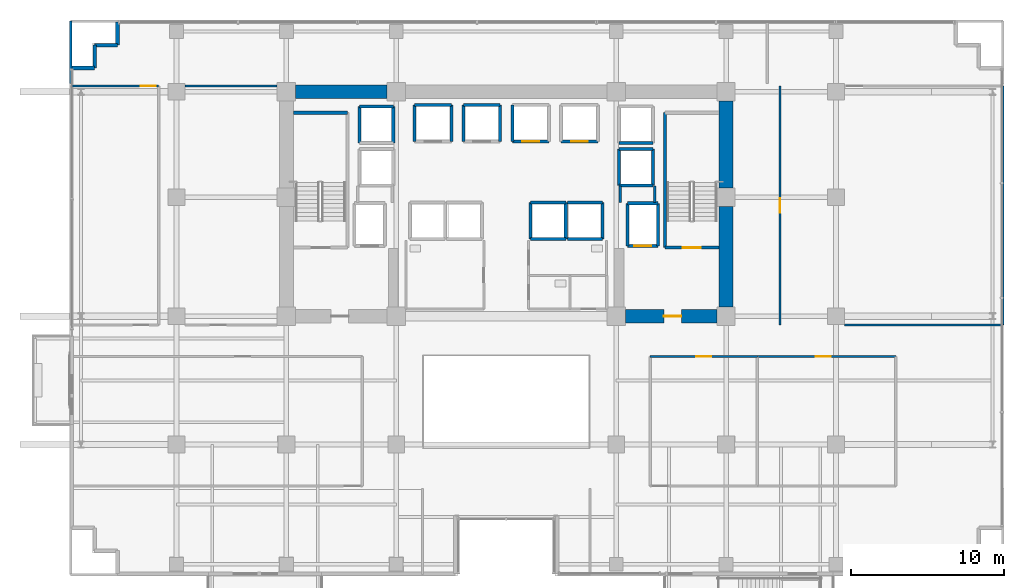
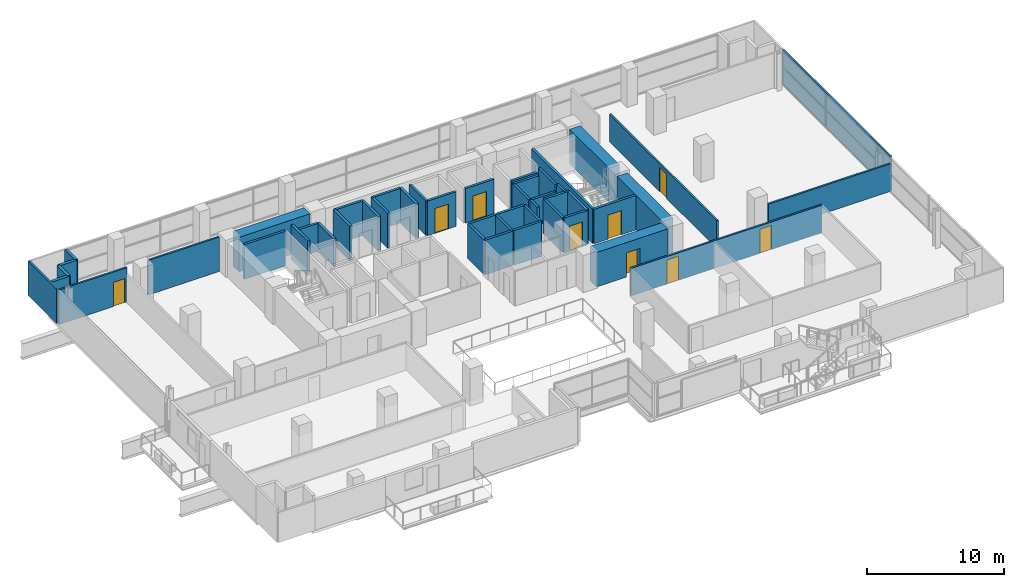
# One storey, part 26 of 31: 49 walls, 9 doors, 9 openings.
"""IFC4 building model written with IfcOpenShell, lengths in metres."""

from ifc_helpers import new_model, si_unit, direction, frame, frame_2d, origin, place, context, subcontext, project, spatial, rectangle, extrude, source, transform, mapped, material, layer, layer_set, type_object, element, fill, save


model = new_model("IFC4")

# Units and contexts
model_context = context("Model", 3, precision=1e-05, world=origin(), true_north=direction((0.0, 1.0)))
body_context = subcontext(model_context, "Body", "Model", "MODEL_VIEW")
ifc_project = project(units=[si_unit("LENGTHUNIT", "METRE"), si_unit("AREAUNIT", "SQUARE_METRE"), si_unit("VOLUMEUNIT", "CUBIC_METRE"), si_unit("PLANEANGLEUNIT", "RADIAN"), si_unit("MASSUNIT", "GRAM", prefix="KILO")], contexts=[model_context])

# Site, building, storey
site_placement = place(None, origin())
site = spatial("IfcSite", under=ifc_project, at=site_placement, CompositionType="ELEMENT")
building_placement = place(site_placement, origin())
building = spatial("IfcBuilding", under=site, at=building_placement, Name="Zarnakvel Exchange Tower", CompositionType="ELEMENT")
storey_placement = place(building_placement, frame((0.0, 0.0, 53.800048828125)))
storey = spatial("IfcBuildingStorey", under=building, at=storey_placement, Name="L14", CompositionType="ELEMENT", Elevation=53.800048828125)

# Walls
ifc_material_1 = material(Name="Concrete C80/95", Category="concrete")
ifc_layer_1 = layer(ifc_material_1, 0.89990234375)
ifc_layer_set_1 = layer_set([ifc_layer_1], Name="Concrete C80/95")
wall_type_1 = type_object("IfcWallType", Name="CW-C1", PredefinedType="SHEAR", material=ifc_layer_set_1)
wall_1_placement = place(storey_placement, frame((-13.800048828125, 13.5, 0.0), z_axis=(0.0, 0.0, 1.0), x_axis=(1.0, 0.0, 0.0)))
element("IfcWall", 1, at=wall_1_placement, inside=storey, type_object=wall_type_1, Name="L14 Rear Core Shear Wall N1 (CW-C1)", PredefinedType="SHEAR", context=body_context, shape_type="SweptSolid", body=[
    extrude(rectangle(XDim=6.0, YDim=0.89990234375, at=frame_2d((3.0, 0.0))), origin(), (0.0, 0.0, 1.0), 3.074951171875),
])
wall_2_placement = place(storey_placement, frame((14.39990234375, -0.60009765625, 0.0), z_axis=(0.0, 0.0, 1.0), x_axis=(0.0, 1.0, 0.0)))
element("IfcWall", 2, at=wall_2_placement, inside=storey, type_object=wall_type_1, Name="L14 Rear Core Shear Wall E1 (CW-C1)", PredefinedType="SHEAR", context=body_context, shape_type="SweptSolid", body=[
    extrude(rectangle(XDim=6.60009765625, YDim=0.89990234375, at=frame_2d((3.300048828125, 0.0))), origin(), (0.0, 0.0, 1.0), 3.074951171875),
])
wall_3_placement = place(storey_placement, frame((14.39990234375, 7.199951171875, 0.0), z_axis=(0.0, 0.0, 1.0), x_axis=(0.0, 1.0, 0.0)))
element("IfcWall", 3, at=wall_3_placement, inside=storey, type_object=wall_type_1, Name="L14 Rear Core Shear Wall E2 (CW-C1)", PredefinedType="SHEAR", context=body_context, shape_type="SweptSolid", body=[
    extrude(rectangle(XDim=5.699951171875, YDim=0.89990234375, at=frame_2d((2.85009765625, 0.0))), origin(), (0.0, 0.0, 1.0), 3.074951171875),
])

# Wall, opening, door
wall_4_placement = place(storey_placement, frame((13.800048828125, -1.199951171875, 0.0), z_axis=(0.0, 0.0, 1.0), x_axis=(-1.0, 0.0, 0.0)))
wall_4 = element("IfcWall", 4, at=wall_4_placement, inside=storey, type_object=wall_type_1, Name="L14 Rear Core Shear Wall SE (CW-C1)", PredefinedType="SHEAR", context=body_context, shape_type="SweptSolid", body=[
    extrude(rectangle(XDim=6.0, YDim=0.89990234375, at=frame_2d((3.0, 0.0))), origin(), (0.0, 0.0, 1.0), 3.074951171875),
])
opening_1_placement = place(wall_4_placement, frame((2.324951171875, 0.0, 0.0)))
opening_1 = element("IfcOpeningElement", 5, at=opening_1_placement, cuts=wall_4, Name="Opening D-L14-04", PredefinedType="OPENING", context=body_context, shape_type="SweptSolid", body=[
    extrude(rectangle(XDim=1.14990234375, YDim=2.14990234375, at=frame_2d((0.574951171875, 1.074951171875))), frame((0.0, 0.4599609375, 0.0), z_axis=(0.0, -1.0, 0.0), x_axis=(1.0, 0.0, 0.0)), (0.0, 0.0, 1.0), 0.919921875),
])
ifc_material_2 = material(Name="Painted Galvanised Steel S355", Category="steel")
door_type_1 = type_object("IfcDoorType", Name="DT-04", OperationType="NOTDEFINED", PredefinedType="DOOR", material=ifc_material_2)
shared_shape_1 = source(origin(), body_context, "Body", "SweptSolid", [
    extrude(rectangle(XDim=1.14990234375, YDim=2.14990234375, at=frame_2d((0.574951171875, 1.074951171875))), frame((0.0, 0.02490234375, 0.0), z_axis=(0.0, -1.0, 0.0), x_axis=(1.0, 0.0, 0.0)), (0.0, 0.0, 1.0), 0.050048828125),
])
door_1_placement = place(opening_1_placement, origin())
door_1 = element("IfcDoor", 6, at=door_1_placement, inside=storey, type_object=door_type_1, Name="L14 Firefighting Lobby East Door D-L14-04", OperationType="SINGLE_SWING_RIGHT", OverallHeight=2.14990234375, OverallWidth=1.14990234375, PredefinedType="DOOR", context=body_context, shape_type="MappedRepresentation", body=[
    mapped(shared_shape_1, transform((0.0, 0.0, 0.0), x_axis=(1.0, 0.0, 0.0), y_axis=(0.0, 1.0, 0.0), z_axis=(0.0, 0.0, 1.0), scale=1.0)),
])
fill(opening_1, door_1)

# Walls
ifc_material_3 = material(Name="Precast concrete C40/50", Category="concrete")
ifc_layer_2 = layer(ifc_material_3, 0.239990234375)
ifc_layer_set_2 = layer_set([ifc_layer_2], Name="Precast concrete C40/50")
wall_type_2 = type_object("IfcWallType", Name="EW-02", PredefinedType="SOLIDWALL", material=ifc_layer_set_2)
for number, where, z_axis, x_axis, name in (
    (7, (-26.9599609375, 15.06005859375, 0.0), (0.0, 0.0, 1.0), (-1.0, 0.0, 0.0), "L14 Exterior Precast Spandrel Wall EWC-L14-03 (EW-02)"),
    (8, (-26.9599609375, 16.56005859375, 0.0), (0.0, 0.0, 1.0), (0.0, -1.0, 0.0), "L14 Exterior Precast Spandrel Wall EWC-L14-04 (EW-02)"),
    (9, (-25.4599609375, 16.56005859375, 0.0), (0.0, 0.0, 1.0), (-1.0, 0.0, 0.0), "L14 Exterior Precast Spandrel Wall EWC-L14-05 (EW-02)"),
    (10, (-25.4599609375, 18.06005859375, 0.0), (0.0, 0.0, 1.0), (0.0, -1.0, 0.0), "L14 Exterior Precast Spandrel Wall EWC-L14-06 (EW-02)"),
):
    element("IfcWall", number, at=place(storey_placement, frame(where, z_axis=z_axis, x_axis=x_axis)), inside=storey, type_object=wall_type_2, Name=name, PredefinedType="SOLIDWALL", context=body_context, shape_type="SweptSolid", body=[
        extrude(rectangle(XDim=1.5, YDim=0.239990234375, at=frame_2d((0.75, 0.0))), origin(), (0.0, 0.0, 1.0), 3.074951171875),
    ])

# Wall, opening, door
ifc_material_4 = material(Name="Fire-Rated Gypsum Stud Partition", Category="gypsum")
ifc_layer_3 = layer(ifc_material_4, 0.14990234375)
ifc_layer_set_3 = layer_set([ifc_layer_3], Name="Fire-Rated Gypsum Stud Partition")
wall_type_3 = type_object("IfcWallType", Name="PT-01", PredefinedType="PARTITIONING", material=ifc_layer_set_3)
wall_5_placement = place(storey_placement, frame((9.429931640625, -3.830078125, 0.0), z_axis=(0.0, 0.0, 1.0), x_axis=(1.0, 0.0, 0.0)))
wall_5 = element("IfcWall", 11, at=wall_5_placement, inside=storey, type_object=wall_type_3, Name="L14 Partition Wall PWALL-L14-030 (PT-01)", PredefinedType="PARTITIONING", context=body_context, shape_type="SweptSolid", body=[
    extrude(rectangle(XDim=7.0146484375, YDim=0.14990234375, at=frame_2d((3.50732421875, 0.0))), origin(), (0.0, 0.0, 1.0), 2.46484375),
])
opening_2_placement = place(wall_5_placement, frame((3.01708984375, 0.0, 0.0)))
opening_2 = element("IfcOpeningElement", 12, at=opening_2_placement, cuts=wall_5, Name="Opening D-L14-11", PredefinedType="OPENING", context=body_context, shape_type="SweptSolid", body=[
    extrude(rectangle(XDim=0.97998046875, YDim=2.14990234375, at=frame_2d((0.489990234375, 1.074951171875))), frame((0.0, 0.0849609375, 0.0), z_axis=(0.0, -1.0, 0.0), x_axis=(1.0, 0.0, 0.0)), (0.0, 0.0, 1.0), 0.169921875),
])
ifc_material_5 = material(Name="Timber Acoustic Veneer", Category="wood")
door_type_2 = type_object("IfcDoorType", Name="DT-05", OperationType="NOTDEFINED", PredefinedType="DOOR", material=ifc_material_5)
shared_shape_2 = source(origin(), body_context, "Body", "SweptSolid", [
    extrude(rectangle(XDim=0.97998046875, YDim=2.14990234375, at=frame_2d((0.489990234375, 1.074951171875))), frame((0.0, 0.02490234375, 0.0), z_axis=(0.0, -1.0, 0.0), x_axis=(1.0, 0.0, 0.0)), (0.0, 0.0, 1.0), 0.050048828125),
])
door_2_placement = place(opening_2_placement, origin())
door_2 = element("IfcDoor", 13, at=door_2_placement, inside=storey, type_object=door_type_2, Name="L14 Seminar Room Door D-L14-11", OperationType="SINGLE_SWING_LEFT", OverallHeight=2.14990234375, OverallWidth=0.97998046875, PredefinedType="DOOR", context=body_context, shape_type="MappedRepresentation", body=[
    mapped(shared_shape_2, transform((0.0, 0.0, 0.0), x_axis=(1.0, 0.0, 0.0), y_axis=(0.0, 1.0, 0.0), z_axis=(0.0, 0.0, 1.0), scale=1.0)),
])
fill(opening_2, door_2)

wall_6_placement = place(storey_placement, frame((16.444580078125, -3.830078125, 0.0), z_axis=(0.0, 0.0, 1.0), x_axis=(1.0, 0.0, 0.0)))
wall_6 = element("IfcWall", 14, at=wall_6_placement, inside=storey, type_object=wall_type_3, Name="L14 Partition Wall PWALL-L14-034 (PT-01)", PredefinedType="PARTITIONING", context=body_context, shape_type="SweptSolid", body=[
    extrude(rectangle(XDim=9.07080078125, YDim=0.14990234375, at=frame_2d((4.535400390625, 0.0))), origin(), (0.0, 0.0, 1.0), 2.46484375),
])
opening_3_placement = place(wall_6_placement, frame((3.827392578125, 0.0, 0.0)))
opening_3 = element("IfcOpeningElement", 15, at=opening_3_placement, cuts=wall_6, Name="Opening D-L14-12", PredefinedType="OPENING", context=body_context, shape_type="SweptSolid", body=[
    extrude(rectangle(XDim=0.97998046875, YDim=2.14990234375, at=frame_2d((0.489990234375, 1.074951171875))), frame((0.0, 0.0849609375, 0.0), z_axis=(0.0, -1.0, 0.0), x_axis=(1.0, 0.0, 0.0)), (0.0, 0.0, 1.0), 0.169921875),
])
door_3_placement = place(opening_3_placement, origin())
door_3 = element("IfcDoor", 16, at=door_3_placement, inside=storey, type_object=door_type_2, Name="L14 Boardroom Door D-L14-12", OperationType="SINGLE_SWING_RIGHT", OverallHeight=2.14990234375, OverallWidth=0.97998046875, PredefinedType="DOOR", context=body_context, shape_type="MappedRepresentation", body=[
    mapped(shared_shape_2, transform((0.0, 0.0, 0.0), x_axis=(1.0, 0.0, 0.0), y_axis=(0.0, 1.0, 0.0), z_axis=(0.0, 0.0, 1.0), scale=1.0)),
])
fill(opening_3, door_3)

wall_7_placement = place(storey_placement, frame((-28.530029296875, 13.8798828125, 0.0), z_axis=(0.0, 0.0, 1.0), x_axis=(1.0, 0.0, 0.0)))
wall_7 = element("IfcWall", 17, at=wall_7_placement, inside=storey, type_object=wall_type_3, Name="L14 Partition Wall PWALL-L14-041 (PT-01)", PredefinedType="PARTITIONING", context=body_context, shape_type="SweptSolid", body=[
    extrude(rectangle(XDim=5.761474609375, YDim=0.14990234375, at=frame_2d((2.880859375, 0.0))), origin(), (0.0, 0.0, 1.0), 3.074951171875),
])
opening_4_placement = place(wall_7_placement, frame((4.6015625, 0.0, 0.0)))
opening_4 = element("IfcOpeningElement", 18, at=opening_4_placement, cuts=wall_7, Name="Opening D-L14-17", PredefinedType="OPENING", context=body_context, shape_type="SweptSolid", body=[
    extrude(rectangle(XDim=0.97998046875, YDim=2.14990234375, at=frame_2d((0.489990234375, 1.074951171875))), frame((0.0, 0.0849609375, 0.0), z_axis=(0.0, -1.0, 0.0), x_axis=(1.0, 0.0, 0.0)), (0.0, 0.0, 1.0), 0.169921875),
])
door_4_placement = place(opening_4_placement, origin())
door_4 = element("IfcDoor", 19, at=door_4_placement, inside=storey, type_object=door_type_2, Name="L14 Fintech Workspace Door D-L14-17", OperationType="SINGLE_SWING_LEFT", OverallHeight=2.14990234375, OverallWidth=0.97998046875, PredefinedType="DOOR", context=body_context, shape_type="MappedRepresentation", body=[
    mapped(shared_shape_2, transform((0.0, 0.0, 0.0), x_axis=(1.0, 0.0, 0.0), y_axis=(0.0, 1.0, 0.0), z_axis=(0.0, 0.0, 1.0), scale=1.0)),
])
fill(opening_4, door_4)

# Walls
wall_8_placement = place(storey_placement, frame((-21.030029296875, 13.8798828125, 0.0), z_axis=(0.0, 0.0, 1.0), x_axis=(1.0, 0.0, 0.0)))
element("IfcWall", 20, at=wall_8_placement, inside=storey, type_object=wall_type_3, Name="L14 Partition Wall PWALL-L14-045 (PT-01)", PredefinedType="PARTITIONING", context=body_context, shape_type="SweptSolid", body=[
    extrude(rectangle(XDim=6.010009765625, YDim=0.14990234375, at=frame_2d((3.0048828125, 0.0))), origin(), (0.0, 0.0, 1.0), 3.074951171875),
])
wall_9_placement = place(storey_placement, frame((32.530029296875, -1.77001953125, 0.0), z_axis=(0.0, 0.0, 1.0), x_axis=(-1.0, 0.0, 0.0)))
element("IfcWall", 21, at=wall_9_placement, inside=storey, type_object=wall_type_3, Name="L14 Partition Wall PWALL-L14-046 (PT-01)", PredefinedType="PARTITIONING", context=body_context, shape_type="SweptSolid", body=[
    extrude(rectangle(XDim=10.360107421875, YDim=0.14990234375, at=frame_2d((5.18017578125, 0.0))), origin(), (0.0, 0.0, 1.0), 2.46484375),
])

# Wall, opening, door
wall_10_placement = place(storey_placement, frame((17.929931640625, -1.77001953125, 0.0), z_axis=(0.0, 0.0, 1.0), x_axis=(0.0, 1.0, 0.0)))
wall_10 = element("IfcWall", 22, at=wall_10_placement, inside=storey, type_object=wall_type_3, Name="L14 Partition Wall PWALL-L14-048 (PT-01)", PredefinedType="PARTITIONING", context=body_context, shape_type="SweptSolid", body=[
    extrude(rectangle(XDim=15.64990234375, YDim=0.14990234375, at=frame_2d((7.824951171875, 0.0))), origin(), (0.0, 0.0, 1.0), 2.46484375),
])
opening_5_placement = place(wall_10_placement, frame((7.3349609375, 0.0, 0.0)))
opening_5 = element("IfcOpeningElement", 23, at=opening_5_placement, cuts=wall_10, Name="Opening D-L14-16", PredefinedType="OPENING", context=body_context, shape_type="SweptSolid", body=[
    extrude(rectangle(XDim=0.97998046875, YDim=2.14990234375, at=frame_2d((0.489990234375, 1.074951171875))), frame((0.0, 0.0849609375, 0.0), z_axis=(0.0, -1.0, 0.0), x_axis=(1.0, 0.0, 0.0)), (0.0, 0.0, 1.0), 0.169921875),
])
door_5_placement = place(opening_5_placement, origin())
door_5 = element("IfcDoor", 24, at=door_5_placement, inside=storey, type_object=door_type_2, Name="L14 Tea Pantry Door D-L14-16", OperationType="SINGLE_SWING_RIGHT", OverallHeight=2.14990234375, OverallWidth=0.97998046875, PredefinedType="DOOR", context=body_context, shape_type="MappedRepresentation", body=[
    mapped(shared_shape_2, transform((0.0, 0.0, 0.0), x_axis=(1.0, 0.0, 0.0), y_axis=(0.0, 1.0, 0.0), z_axis=(0.0, 0.0, 1.0), scale=1.0)),
])
fill(opening_5, door_5)

# Walls
wall_11_placement = place(storey_placement, frame((32.530029296875, 13.8798828125, 0.0), z_axis=(0.0, 0.0, 1.0), x_axis=(0.0, -1.0, 0.0)))
element("IfcWall", 25, at=wall_11_placement, inside=storey, type_object=wall_type_3, Name="L14 Partition Wall PWALL-L14-049 (PT-01)", PredefinedType="PARTITIONING", context=body_context, shape_type="SweptSolid", body=[
    extrude(rectangle(XDim=15.64990234375, YDim=0.14990234375, at=frame_2d((7.824951171875, 0.0))), origin(), (0.0, 0.0, 1.0), 3.074951171875),
])
wall_12_placement = place(storey_placement, frame((-28.530029296875, 14.030029296875, 0.0), z_axis=(0.0, 0.0, 1.0), x_axis=(0.0, 1.0, 0.0)))
element("IfcWall", 26, at=wall_12_placement, inside=storey, type_object=wall_type_3, Name="L14 Partition Wall PWALL-L14-051 (PT-01)", PredefinedType="PARTITIONING", context=body_context, shape_type="SweptSolid", body=[
    extrude(rectangle(XDim=4.099853515625, YDim=0.14990234375, at=frame_2d((2.0498046875, 0.0))), origin(), (0.0, 0.0, 1.0), 3.074951171875),
])
ifc_layer_4 = layer(ifc_material_4, 0.179931640625)
ifc_layer_set_4 = layer_set([ifc_layer_4], Name="Fire-Rated Gypsum Stud Partition")
wall_type_4 = type_object("IfcWallType", Name="PT-02", PredefinedType="PARTITIONING", material=ifc_layer_set_4)
wall_13_placement = place(storey_placement, frame((7.469970703125, 6.239990234375, 0.0), z_axis=(0.0, 0.0, 1.0), x_axis=(0.0, 1.0, 0.0)))
element("IfcWall", 27, at=wall_13_placement, inside=storey, type_object=wall_type_4, Name="L14 Partition Wall PWALL-L14-009 (PT-02)", PredefinedType="PARTITIONING", context=body_context, shape_type="SweptSolid", body=[
    extrude(rectangle(XDim=1.090087890625, YDim=0.179931640625, at=frame_2d((0.544921875, 0.0))), origin(), (0.0, 0.0, 1.0), 2.46484375),
])
wall_14_placement = place(storey_placement, frame((9.72998046875, 7.330078125, 0.0), z_axis=(0.0, 0.0, 1.0), x_axis=(0.0, -1.0, 0.0)))
element("IfcWall", 28, at=wall_14_placement, inside=storey, type_object=wall_type_4, Name="L14 Partition Wall PWALL-L14-010 (PT-02)", PredefinedType="PARTITIONING", context=body_context, shape_type="SweptSolid", body=[
    extrude(rectangle(XDim=1.090087890625, YDim=0.179931640625, at=frame_2d((0.544921875, 0.0))), origin(), (0.0, 0.0, 1.0), 3.074951171875),
])

# Wall, opening, door
ifc_material_6 = material(Name="Concrete C40/50", Category="concrete")
ifc_layer_5 = layer(ifc_material_6, 0.199951171875)
ifc_layer_set_5 = layer_set([ifc_layer_5], Name="Concrete C40/50")
wall_type_5 = type_object("IfcWallType", Name="SW-01", PredefinedType="SOLIDWALL", material=ifc_layer_set_5)
wall_15_placement = place(storey_placement, frame((9.949951171875, 3.39990234375, 0.0), z_axis=(0.0, 0.0, 1.0), x_axis=(-1.0, 0.0, 0.0)))
wall_15 = element("IfcWall", 29, at=wall_15_placement, inside=storey, type_object=wall_type_5, Name="L14 FL-02 Hoistway Wall South", PredefinedType="SOLIDWALL", context=body_context, shape_type="SweptSolid", body=[
    extrude(rectangle(XDim=2.0, YDim=0.199951171875, at=frame_2d((1.0, 0.0))), origin(), (0.0, 0.0, 1.0), 3.074951171875),
])
opening_6_placement = place(wall_15_placement, frame((0.449951171875, 0.0, 0.0)))
opening_6 = element("IfcOpeningElement", 30, at=opening_6_placement, cuts=wall_15, Name="Opening LD-FL-02-L14", PredefinedType="OPENING", context=body_context, shape_type="SweptSolid", body=[
    extrude(rectangle(XDim=1.10009765625, YDim=2.199951171875, at=frame_2d((0.550048828125, 1.10009765625))), frame((0.0, 0.10986328125, 0.0), z_axis=(0.0, -1.0, 0.0), x_axis=(1.0, 0.0, 0.0)), (0.0, 0.0, 1.0), 0.219970703125),
])
ifc_material_7 = material(Name="Brushed Stainless Steel", Category="steel")
door_type_3 = type_object("IfcDoorType", Name="LDT-01", OperationType="NOTDEFINED", PredefinedType="DOOR", material=ifc_material_7)
shared_shape_3 = source(origin(), body_context, "Body", "SweptSolid", [
    extrude(rectangle(XDim=1.10009765625, YDim=2.199951171875, at=frame_2d((0.550048828125, 1.10009765625))), frame((0.0, 0.02490234375, 0.0), z_axis=(0.0, -1.0, 0.0), x_axis=(1.0, 0.0, 0.0)), (0.0, 0.0, 1.0), 0.050048828125),
])
door_6_placement = place(opening_6_placement, origin())
door_6 = element("IfcDoor", 31, at=door_6_placement, inside=storey, type_object=door_type_3, Name="L14 FL-02 Lift Landing Door LD-FL-02-L14", OperationType="DOUBLE_DOOR_SLIDING", OverallHeight=2.199951171875, OverallWidth=1.10009765625, PredefinedType="DOOR", context=body_context, shape_type="MappedRepresentation", body=[
    mapped(shared_shape_3, transform((0.0, 0.0, 0.0), x_axis=(1.0, 0.0, 0.0), y_axis=(0.0, 1.0, 0.0), z_axis=(0.0, 0.0, 1.0), scale=1.0)),
])
fill(opening_6, door_6)

# Walls
wall_16_placement = place(storey_placement, frame((7.949951171875, 6.199951171875, 0.0), z_axis=(0.0, 0.0, 1.0), x_axis=(1.0, 0.0, 0.0)))
element("IfcWall", 32, at=wall_16_placement, inside=storey, type_object=wall_type_5, Name="L14 FL-02 Hoistway Wall North", PredefinedType="SOLIDWALL", context=body_context, shape_type="SweptSolid", body=[
    extrude(rectangle(XDim=2.0, YDim=0.199951171875, at=frame_2d((1.0, 0.0))), origin(), (0.0, 0.0, 1.0), 3.074951171875),
])
for number, where, z_axis, x_axis, name in (
    (33, (7.949951171875, 3.39990234375, 0.0), (0.0, 0.0, 1.0), (0.0, 1.0, 0.0), "L14 FL-02 Hoistway Wall West"),
    (34, (9.949951171875, 6.199951171875, 0.0), (0.0, 0.0, 1.0), (0.0, -1.0, 0.0), "L14 FL-02 Hoistway Wall East"),
):
    element("IfcWall", number, at=place(storey_placement, frame(where, z_axis=z_axis, x_axis=x_axis)), inside=storey, type_object=wall_type_5, Name=name, PredefinedType="SOLIDWALL", context=body_context, shape_type="SweptSolid", body=[
        extrude(rectangle(XDim=2.800048828125, YDim=0.199951171875, at=frame_2d((1.39990234375, 0.0))), origin(), (0.0, 0.0, 1.0), 3.074951171875),
    ])
for number, where, z_axis, x_axis, name in (
    (35, (-6.0, 12.64990234375, 0.0), (0.0, 0.0, 1.0), (1.0, 0.0, 0.0), "L14 PL-01 Hoistway Wall North"),
    (36, (-6.0, 10.25, 0.0), (0.0, 0.0, 1.0), (0.0, 1.0, 0.0), "L14 PL-01 Hoistway Wall West"),
    (37, (-3.60009765625, 12.64990234375, 0.0), (0.0, 0.0, 1.0), (0.0, -1.0, 0.0), "L14 PL-01 Hoistway Wall East"),
):
    element("IfcWall", number, at=place(storey_placement, frame(where, z_axis=z_axis, x_axis=x_axis)), inside=storey, type_object=wall_type_5, Name=name, PredefinedType="SOLIDWALL", context=body_context, shape_type="SweptSolid", body=[
        extrude(rectangle(XDim=2.39990234375, YDim=0.199951171875, at=frame_2d((1.199951171875, 0.0))), origin(), (0.0, 0.0, 1.0), 3.074951171875),
    ])
wall_17_placement = place(storey_placement, frame((-2.800048828125, 12.64990234375, 0.0), z_axis=(0.0, 0.0, 1.0), x_axis=(1.0, 0.0, 0.0)))
element("IfcWall", 38, at=wall_17_placement, inside=storey, type_object=wall_type_5, Name="L14 PL-02 Hoistway Wall North", PredefinedType="SOLIDWALL", context=body_context, shape_type="SweptSolid", body=[
    extrude(rectangle(XDim=2.400146484375, YDim=0.199951171875, at=frame_2d((1.2001953125, 0.0))), origin(), (0.0, 0.0, 1.0), 3.074951171875),
])
for number, where, z_axis, x_axis, name in (
    (39, (-2.800048828125, 10.25, 0.0), (0.0, 0.0, 1.0), (0.0, 1.0, 0.0), "L14 PL-02 Hoistway Wall West"),
    (40, (-0.39990234375, 12.64990234375, 0.0), (0.0, 0.0, 1.0), (0.0, -1.0, 0.0), "L14 PL-02 Hoistway Wall East"),
):
    element("IfcWall", number, at=place(storey_placement, frame(where, z_axis=z_axis, x_axis=x_axis)), inside=storey, type_object=wall_type_5, Name=name, PredefinedType="SOLIDWALL", context=body_context, shape_type="SweptSolid", body=[
        extrude(rectangle(XDim=2.39990234375, YDim=0.199951171875, at=frame_2d((1.199951171875, 0.0))), origin(), (0.0, 0.0, 1.0), 3.074951171875),
    ])

# Wall, opening, door
wall_18_placement = place(storey_placement, frame((2.800048828125, 10.25, 0.0), z_axis=(0.0, 0.0, 1.0), x_axis=(-1.0, 0.0, 0.0)))
wall_18 = element("IfcWall", 41, at=wall_18_placement, inside=storey, type_object=wall_type_5, Name="L14 PL-03 Hoistway Wall South", PredefinedType="SOLIDWALL", context=body_context, shape_type="SweptSolid", body=[
    extrude(rectangle(XDim=2.400146484375, YDim=0.199951171875, at=frame_2d((1.2001953125, 0.0))), origin(), (0.0, 0.0, 1.0), 3.074951171875),
])
opening_7_placement = place(wall_18_placement, frame((0.64990234375, 0.0, 0.0)))
opening_7 = element("IfcOpeningElement", 42, at=opening_7_placement, cuts=wall_18, Name="Opening LD-PL-03-L14", PredefinedType="OPENING", context=body_context, shape_type="SweptSolid", body=[
    extrude(rectangle(XDim=1.10009765625, YDim=2.199951171875, at=frame_2d((0.550048828125, 1.10009765625))), frame((0.0, 0.10986328125, 0.0), z_axis=(0.0, -1.0, 0.0), x_axis=(1.0, 0.0, 0.0)), (0.0, 0.0, 1.0), 0.219970703125),
])
ifc_material_8 = material(Name="Architectural Bronze Anodised Aluminium", Category="aluminium")
door_type_4 = type_object("IfcDoorType", Name="LDT-02", OperationType="NOTDEFINED", PredefinedType="DOOR", material=ifc_material_8)
door_7_placement = place(opening_7_placement, origin())
door_7 = element("IfcDoor", 43, at=door_7_placement, inside=storey, type_object=door_type_4, Name="L14 PL-03 Lift Landing Door LD-PL-03-L14", OperationType="DOUBLE_DOOR_SLIDING", OverallHeight=2.199951171875, OverallWidth=1.10009765625, PredefinedType="DOOR", context=body_context, shape_type="MappedRepresentation", body=[
    mapped(shared_shape_3, transform((0.0, 0.0, 0.0), x_axis=(1.0, 0.0, 0.0), y_axis=(0.0, 1.0, 0.0), z_axis=(0.0, 0.0, 1.0), scale=1.0)),
])
fill(opening_7, door_7)

# Wall
wall_19_placement = place(storey_placement, frame((0.39990234375, 10.25, 0.0), z_axis=(0.0, 0.0, 1.0), x_axis=(0.0, 1.0, 0.0)))
element("IfcWall", 44, at=wall_19_placement, inside=storey, type_object=wall_type_5, Name="L14 PL-03 Hoistway Wall West", PredefinedType="SOLIDWALL", context=body_context, shape_type="SweptSolid", body=[
    extrude(rectangle(XDim=2.39990234375, YDim=0.199951171875, at=frame_2d((1.199951171875, 0.0))), origin(), (0.0, 0.0, 1.0), 3.074951171875),
])

# Wall, opening, door
wall_20_placement = place(storey_placement, frame((6.0, 10.25, 0.0), z_axis=(0.0, 0.0, 1.0), x_axis=(-1.0, 0.0, 0.0)))
wall_20 = element("IfcWall", 45, at=wall_20_placement, inside=storey, type_object=wall_type_5, Name="L14 PL-04 Hoistway Wall South", PredefinedType="SOLIDWALL", context=body_context, shape_type="SweptSolid", body=[
    extrude(rectangle(XDim=2.39990234375, YDim=0.199951171875, at=frame_2d((1.199951171875, 0.0))), origin(), (0.0, 0.0, 1.0), 3.074951171875),
])
opening_8_placement = place(wall_20_placement, frame((0.64990234375, 0.0, 0.0)))
opening_8 = element("IfcOpeningElement", 46, at=opening_8_placement, cuts=wall_20, Name="Opening LD-PL-04-L14", PredefinedType="OPENING", context=body_context, shape_type="SweptSolid", body=[
    extrude(rectangle(XDim=1.10009765625, YDim=2.199951171875, at=frame_2d((0.550048828125, 1.10009765625))), frame((0.0, 0.10986328125, 0.0), z_axis=(0.0, -1.0, 0.0), x_axis=(1.0, 0.0, 0.0)), (0.0, 0.0, 1.0), 0.219970703125),
])
door_8_placement = place(opening_8_placement, origin())
door_8 = element("IfcDoor", 47, at=door_8_placement, inside=storey, type_object=door_type_4, Name="L14 PL-04 Lift Landing Door LD-PL-04-L14", OperationType="DOUBLE_DOOR_SLIDING", OverallHeight=2.199951171875, OverallWidth=1.10009765625, PredefinedType="DOOR", context=body_context, shape_type="MappedRepresentation", body=[
    mapped(shared_shape_3, transform((0.0, 0.0, 0.0), x_axis=(1.0, 0.0, 0.0), y_axis=(0.0, 1.0, 0.0), z_axis=(0.0, 0.0, 1.0), scale=1.0)),
])
fill(opening_8, door_8)

# Walls
for number, where, z_axis, x_axis, name in (
    (48, (3.89990234375, 3.85009765625, 0.0), (0.0, 0.0, 1.0), (-1.0, 0.0, 0.0), "L14 PL-07 Hoistway Wall South"),
    (49, (1.60009765625, 6.25, 0.0), (0.0, 0.0, 1.0), (1.0, 0.0, 0.0), "L14 PL-07 Hoistway Wall North"),
):
    element("IfcWall", number, at=place(storey_placement, frame(where, z_axis=z_axis, x_axis=x_axis)), inside=storey, type_object=wall_type_5, Name=name, PredefinedType="SOLIDWALL", context=body_context, shape_type="SweptSolid", body=[
        extrude(rectangle(XDim=2.2998046875, YDim=0.199951171875, at=frame_2d((1.14990234375, 0.0))), origin(), (0.0, 0.0, 1.0), 3.074951171875),
    ])
for number, where, z_axis, x_axis, name in (
    (50, (1.60009765625, 3.85009765625, 0.0), (0.0, 0.0, 1.0), (0.0, 1.0, 0.0), "L14 PL-07 Hoistway Wall West"),
    (51, (3.89990234375, 6.25, 0.0), (0.0, 0.0, 1.0), (0.0, -1.0, 0.0), "L14 PL-07 Hoistway Wall East"),
):
    element("IfcWall", number, at=place(storey_placement, frame(where, z_axis=z_axis, x_axis=x_axis)), inside=storey, type_object=wall_type_5, Name=name, PredefinedType="SOLIDWALL", context=body_context, shape_type="SweptSolid", body=[
        extrude(rectangle(XDim=2.39990234375, YDim=0.199951171875, at=frame_2d((1.199951171875, 0.0))), origin(), (0.0, 0.0, 1.0), 3.074951171875),
    ])
for number, where, z_axis, x_axis, name in (
    (52, (6.300048828125, 3.85009765625, 0.0), (0.0, 0.0, 1.0), (-1.0, 0.0, 0.0), "L14 PL-08 Hoistway Wall South"),
    (53, (4.0, 6.25, 0.0), (0.0, 0.0, 1.0), (1.0, 0.0, 0.0), "L14 PL-08 Hoistway Wall North"),
):
    element("IfcWall", number, at=place(storey_placement, frame(where, z_axis=z_axis, x_axis=x_axis)), inside=storey, type_object=wall_type_5, Name=name, PredefinedType="SOLIDWALL", context=body_context, shape_type="SweptSolid", body=[
        extrude(rectangle(XDim=2.300048828125, YDim=0.199951171875, at=frame_2d((1.14990234375, 0.0))), origin(), (0.0, 0.0, 1.0), 3.074951171875),
    ])
wall_21_placement = place(storey_placement, frame((6.300048828125, 6.25, 0.0), z_axis=(0.0, 0.0, 1.0), x_axis=(0.0, -1.0, 0.0)))
element("IfcWall", 54, at=wall_21_placement, inside=storey, type_object=wall_type_5, Name="L14 PL-08 Hoistway Wall East", PredefinedType="SOLIDWALL", context=body_context, shape_type="SweptSolid", body=[
    extrude(rectangle(XDim=2.39990234375, YDim=0.199951171875, at=frame_2d((1.199951171875, 0.0))), origin(), (0.0, 0.0, 1.0), 3.074951171875),
])
wall_22_placement = place(storey_placement, frame((-9.60009765625, 12.550048828125, 0.0), z_axis=(0.0, 0.0, 1.0), x_axis=(1.0, 0.0, 0.0)))
element("IfcWall", 55, at=wall_22_placement, inside=storey, type_object=wall_type_5, Name="L14 PL-10 Hoistway Wall North", PredefinedType="SOLIDWALL", context=body_context, shape_type="SweptSolid", body=[
    extrude(rectangle(XDim=2.2001953125, YDim=0.199951171875, at=frame_2d((1.10009765625, 0.0))), origin(), (0.0, 0.0, 1.0), 2.46484375),
])
wall_23_placement = place(storey_placement, frame((-9.60009765625, 10.14990234375, 0.0), z_axis=(0.0, 0.0, 1.0), x_axis=(0.0, 1.0, 0.0)))
element("IfcWall", 56, at=wall_23_placement, inside=storey, type_object=wall_type_5, Name="L14 PL-10 Hoistway Wall West", PredefinedType="SOLIDWALL", context=body_context, shape_type="SweptSolid", body=[
    extrude(rectangle(XDim=2.400146484375, YDim=0.199951171875, at=frame_2d((1.2001953125, 0.0))), origin(), (0.0, 0.0, 1.0), 3.074951171875),
])
wall_24_placement = place(storey_placement, frame((-7.39990234375, 12.550048828125, 0.0), z_axis=(0.0, 0.0, 1.0), x_axis=(0.0, -1.0, 0.0)))
element("IfcWall", 57, at=wall_24_placement, inside=storey, type_object=wall_type_5, Name="L14 PL-10 Hoistway Wall East", PredefinedType="SOLIDWALL", context=body_context, shape_type="SweptSolid", body=[
    extrude(rectangle(XDim=2.400146484375, YDim=0.199951171875, at=frame_2d((1.2001953125, 0.0))), origin(), (0.0, 0.0, 1.0), 2.46484375),
])
for number, where, z_axis, x_axis, name in (
    (58, (9.60009765625, 7.35009765625, 0.0), (0.0, 0.0, 1.0), (-1.0, 0.0, 0.0), "L14 PL-11 Hoistway Wall South"),
    (59, (7.39990234375, 9.75, 0.0), (0.0, 0.0, 1.0), (1.0, 0.0, 0.0), "L14 PL-11 Hoistway Wall North"),
):
    element("IfcWall", number, at=place(storey_placement, frame(where, z_axis=z_axis, x_axis=x_axis)), inside=storey, type_object=wall_type_5, Name=name, PredefinedType="SOLIDWALL", context=body_context, shape_type="SweptSolid", body=[
        extrude(rectangle(XDim=2.2001953125, YDim=0.199951171875, at=frame_2d((1.10009765625, 0.0))), origin(), (0.0, 0.0, 1.0), 2.46484375),
    ])
wall_25_placement = place(storey_placement, frame((7.39990234375, 7.35009765625, 0.0), z_axis=(0.0, 0.0, 1.0), x_axis=(0.0, 1.0, 0.0)))
element("IfcWall", 60, at=wall_25_placement, inside=storey, type_object=wall_type_5, Name="L14 PL-11 Hoistway Wall West", PredefinedType="SOLIDWALL", context=body_context, shape_type="SweptSolid", body=[
    extrude(rectangle(XDim=2.39990234375, YDim=0.199951171875, at=frame_2d((1.199951171875, 0.0))), origin(), (0.0, 0.0, 1.0), 2.46484375),
])
wall_26_placement = place(storey_placement, frame((9.60009765625, 9.75, 0.0), z_axis=(0.0, 0.0, 1.0), x_axis=(0.0, -1.0, 0.0)))
element("IfcWall", 61, at=wall_26_placement, inside=storey, type_object=wall_type_5, Name="L14 PL-11 Hoistway Wall East", PredefinedType="SOLIDWALL", context=body_context, shape_type="SweptSolid", body=[
    extrude(rectangle(XDim=2.39990234375, YDim=0.199951171875, at=frame_2d((1.199951171875, 0.0))), origin(), (0.0, 0.0, 1.0), 3.074951171875),
])
wall_27_placement = place(storey_placement, frame((9.60009765625, 10.14990234375, 0.0), z_axis=(0.0, 0.0, 1.0), x_axis=(-1.0, 0.0, 0.0)))
element("IfcWall", 62, at=wall_27_placement, inside=storey, type_object=wall_type_5, Name="L14 PL-12 Hoistway Wall South", PredefinedType="SOLIDWALL", context=body_context, shape_type="SweptSolid", body=[
    extrude(rectangle(XDim=2.2001953125, YDim=0.199951171875, at=frame_2d((1.10009765625, 0.0))), origin(), (0.0, 0.0, 1.0), 2.46484375),
])
ifc_layer_6 = layer(ifc_material_6, 0.199951171875)
ifc_layer_set_6 = layer_set([ifc_layer_6], Name="Concrete C40/50")
wall_type_6 = type_object("IfcWallType", Name="SW-02", PredefinedType="SOLIDWALL", material=ifc_layer_set_6)
wall_28_placement = place(storey_placement, frame((-13.929931640625, 12.1298828125, 0.0), z_axis=(0.0, 0.0, 1.0), x_axis=(1.0, 0.0, 0.0)))
element("IfcWall", 63, at=wall_28_placement, inside=storey, type_object=wall_type_6, Name="L14 Stairwell Core Wall PWALL-L14-002 (SW-02)", PredefinedType="SOLIDWALL", context=body_context, shape_type="SweptSolid", body=[
    extrude(rectangle(XDim=3.52001953125, YDim=0.199951171875, at=frame_2d((1.760009765625, 0.0))), origin(), (0.0, 0.0, 1.0), 3.074951171875),
])

# Wall, opening, door
wall_29_placement = place(storey_placement, frame((13.929931640625, 3.2900390625, 0.0), z_axis=(0.0, 0.0, 1.0), x_axis=(-1.0, 0.0, 0.0)))
wall_29 = element("IfcWall", 64, at=wall_29_placement, inside=storey, type_object=wall_type_6, Name="L14 Stairwell Core Wall PWALL-L14-004 (SW-02)", PredefinedType="SOLIDWALL", context=body_context, shape_type="SweptSolid", body=[
    extrude(rectangle(XDim=3.52001953125, YDim=0.199951171875, at=frame_2d((1.760009765625, 0.0))), origin(), (0.0, 0.0, 1.0), 3.074951171875),
])
opening_9_placement = place(wall_29_placement, frame((1.205078125, 0.0, 0.0)))
opening_9 = element("IfcOpeningElement", 65, at=opening_9_placement, cuts=wall_29, Name="Opening D-L14-02", PredefinedType="OPENING", context=body_context, shape_type="SweptSolid", body=[
    extrude(rectangle(XDim=1.14990234375, YDim=2.14990234375, at=frame_2d((0.574951171875, 1.074951171875))), frame((0.0, 0.10986328125, 0.0), z_axis=(0.0, -1.0, 0.0), x_axis=(1.0, 0.0, 0.0)), (0.0, 0.0, 1.0), 0.219970703125),
])
door_9_placement = place(opening_9_placement, origin())
door_9 = element("IfcDoor", 66, at=door_9_placement, inside=storey, type_object=door_type_1, Name="L14 Stairwell ST-02 Door D-L14-02", OperationType="SINGLE_SWING_RIGHT", OverallHeight=2.14990234375, OverallWidth=1.14990234375, PredefinedType="DOOR", context=body_context, shape_type="MappedRepresentation", body=[
    mapped(shared_shape_1, transform((0.0, 0.0, 0.0), x_axis=(1.0, 0.0, 0.0), y_axis=(0.0, 1.0, 0.0), z_axis=(0.0, 0.0, 1.0), scale=1.0)),
])
fill(opening_9, door_9)

# Wall
wall_30_placement = place(storey_placement, frame((10.409912109375, 3.2900390625, 0.0), z_axis=(0.0, 0.0, 1.0), x_axis=(0.0, 1.0, 0.0)))
element("IfcWall", 67, at=wall_30_placement, inside=storey, type_object=wall_type_6, Name="L14 Stairwell Core Wall PWALL-L14-006 (SW-02)", PredefinedType="SOLIDWALL", context=body_context, shape_type="SweptSolid", body=[
    extrude(rectangle(XDim=8.83984375, YDim=0.199951171875, at=frame_2d((4.419921875, 0.0))), origin(), (0.0, 0.0, 1.0), 3.074951171875),
])

save(model, "model.ifc")
